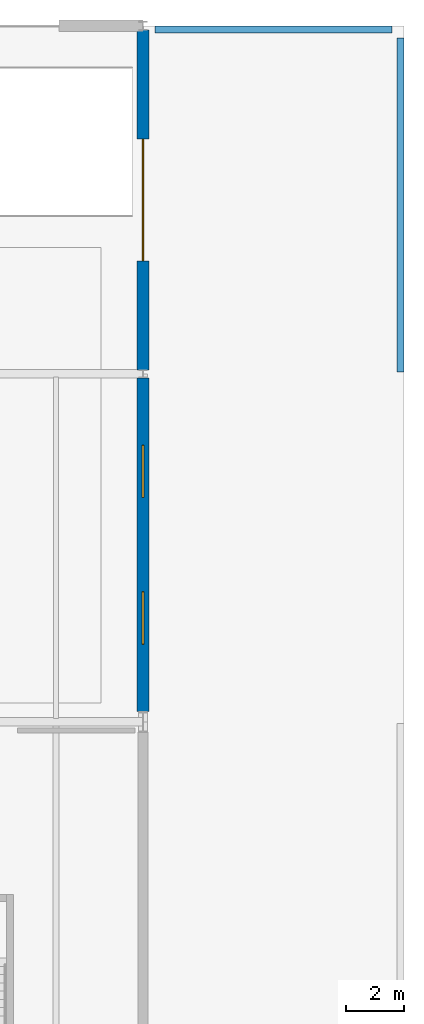
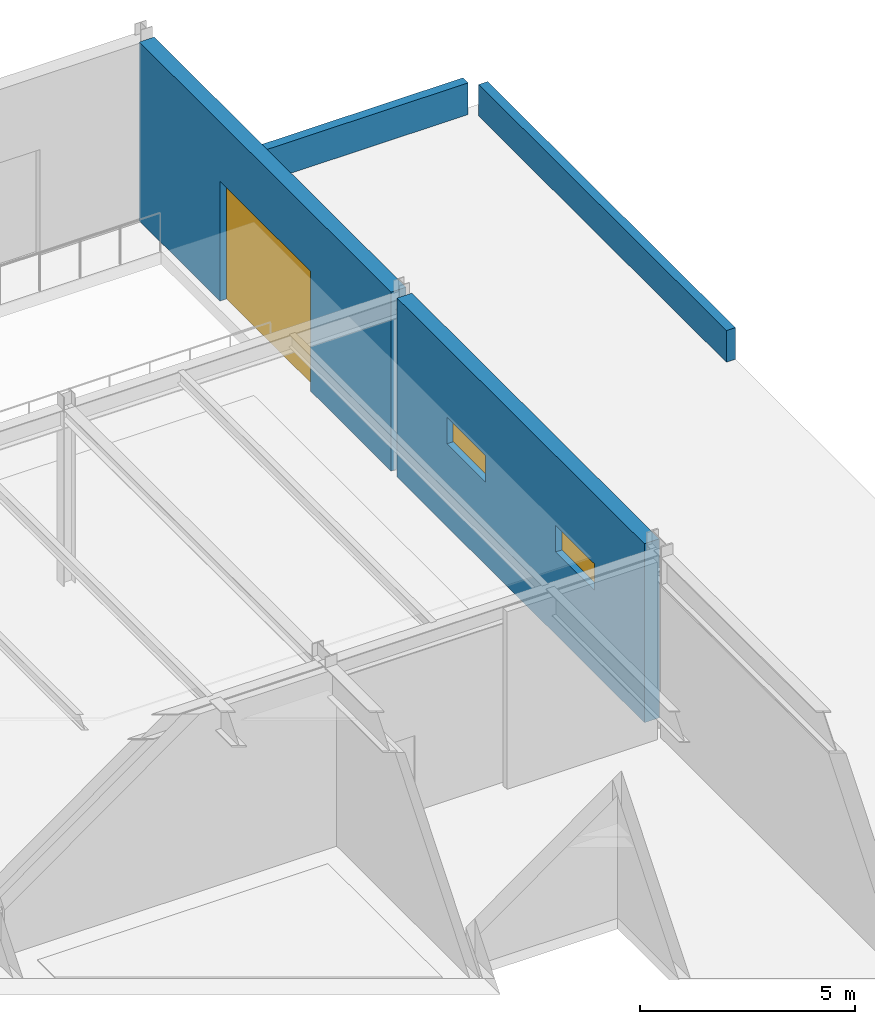
# One storey, part 130 of 143: 4 walls, 2 windows, 1 door, 3 openings.
"""IFC4 building model written with IfcOpenShell, lengths in metres."""

import ifcopenshell
import ifcopenshell.guid

model = None  # the IFC model being written
_history = None  # IfcOwnerHistory: only IFC2X3 demands one
_inside = {}  # id of a spatial element -> (the spatial element, [elements in it])
_under = {}  # id of a project, library or spatial element -> (it, [spatial elements below it])
_declared = {}  # id of a project -> (the project, [libraries it declares])
_typed = {}  # id of a type object -> (the type object, [elements of that type])
_made_of = {}  # id of a material, layer set ... -> (it, [elements and type objects made of it])


def new_model(schema):
    """Start an empty IFC model of exactly this schema.

    Asked for "IFC4X3", IfcOpenShell would pick the latest addendum, in which some entities
    have other attributes; the version numbers below select the first issue.
    IFC2X3 requires an IfcOwnerHistory on every rooted entity: one is made here for all.
    """
    global model, _history
    if schema == "IFC4X3":
        model = ifcopenshell.file(schema_version=(4, 3, 0, 0))
    else:
        model = ifcopenshell.file(schema=schema)
    _inside.clear()
    _under.clear()
    _declared.clear()
    _typed.clear()
    _made_of.clear()
    _history = None
    if model.schema == "IFC2X3":
        org = make("IfcOrganization", Name="unknown")
        user = make(
            "IfcPersonAndOrganization",
            ThePerson=make("IfcPerson", FamilyName="unknown"),
            TheOrganization=org,
        )
        app = make(
            "IfcApplication",
            ApplicationDeveloper=org,
            Version="unknown",
            ApplicationFullName="unknown",
            ApplicationIdentifier="unknown",
        )
        _history = make(
            "IfcOwnerHistory",
            OwningUser=user,
            OwningApplication=app,
            ChangeAction="ADDED",
            CreationDate=0,
        )
    return model


def make(cls, **values):
    """One entity of the class cls with the attributes given. An attribute that is None is left unset."""
    return model.create_entity(
        cls, **{name: value for name, value in values.items() if value is not None}
    )


def rooted(cls, **values):
    """An entity with a GlobalId (a new one), such as an element, a storey or a relation."""
    return make(cls, GlobalId=ifcopenshell.guid.new(), OwnerHistory=_history, **values)


def si_unit(unit_type, name, prefix=None):
    """IfcSIUnit, for example si_unit("LENGTHUNIT", "METRE", prefix="MILLI")."""
    return make("IfcSIUnit", UnitType=unit_type, Prefix=prefix, Name=name)


def assignment(units):
    """IfcUnitAssignment: the units of a project."""
    return None if units is None else make("IfcUnitAssignment", Units=units)


def point(xyz):
    """IfcCartesianPoint."""
    return None if xyz is None else make("IfcCartesianPoint", Coordinates=xyz)


def direction(xyz):
    """IfcDirection."""
    return None if xyz is None else make("IfcDirection", DirectionRatios=xyz)


def frame(location, z_axis=None, x_axis=None):
    """IfcAxis2Placement3D, a coordinate frame: its origin and axes. An axis left out is left unset."""
    return make(
        "IfcAxis2Placement3D",
        Location=point(location),
        Axis=direction(z_axis),
        RefDirection=direction(x_axis),
    )


def frame_2d(location, x_axis=None):
    """IfcAxis2Placement2D, a coordinate frame in the plane: its origin and x axis."""
    return make(
        "IfcAxis2Placement2D", Location=point(location), RefDirection=direction(x_axis)
    )


def origin():
    """The frame at (0, 0, 0) with its axes left unset."""
    return frame((0.0, 0.0, 0.0))


def place(relative_to, where):
    """IfcLocalPlacement: puts the frame where relative to a parent placement (None: the world)."""
    return make(
        "IfcLocalPlacement", PlacementRelTo=relative_to, RelativePlacement=where
    )


def context(
    kind, dimensions, precision=None, world=None, true_north=None, identifier=None
):
    """IfcGeometricRepresentationContext, for example the 3D "Model" context."""
    return make(
        "IfcGeometricRepresentationContext",
        ContextIdentifier=identifier,
        ContextType=kind,
        CoordinateSpaceDimension=dimensions,
        Precision=precision,
        WorldCoordinateSystem=world,
        TrueNorth=true_north,
    )


def subcontext(parent, identifier, kind, view, scale=None):
    """IfcGeometricRepresentationSubContext, for example "Body" below "Model"."""
    return make(
        "IfcGeometricRepresentationSubContext",
        ContextIdentifier=identifier,
        ContextType=kind,
        ParentContext=parent,
        TargetScale=scale,
        TargetView=view,
    )


def project(units=None, contexts=None):
    """IfcProject with its units and contexts."""
    return rooted(
        "IfcProject",
        Name="project",
        RepresentationContexts=contexts,
        UnitsInContext=assignment(units),
    )


def spatial(cls, under=None, at=None, **own):
    """A site, building, storey or space (cls), placed at a placement, below another one or the project."""
    s = rooted(cls, ObjectPlacement=at, **own)
    if under is not None:
        _under.setdefault(under.id(), (under, []))[1].append(s)
    return s


def profile(cls, at=None, kind="AREA", **sizes):
    """A parametric profile (cls). Its sizes go by their IFC names, for example OverallWidth=200.0."""
    return make(cls, ProfileType=kind, Position=at, **sizes)


def rectangle(**sizes):
    """IfcRectangleProfileDef."""
    return profile("IfcRectangleProfileDef", **sizes)


def extrude(swept, where, along, depth):
    """IfcExtrudedAreaSolid: the profile swept, set in the frame where, extruded along a direction by depth."""
    return make(
        "IfcExtrudedAreaSolid",
        SweptArea=swept,
        Position=where,
        ExtrudedDirection=direction(along),
        Depth=depth,
    )


def shape(context_of_items, identifier, shape_type, items):
    """IfcShapeRepresentation: the items that make up one representation, for example the "Body"."""
    return make(
        "IfcShapeRepresentation",
        ContextOfItems=context_of_items,
        RepresentationIdentifier=identifier,
        RepresentationType=shape_type,
        Items=items,
    )


def material(Name=None, Category=None):
    """IfcMaterial."""
    return make("IfcMaterial", Name=Name, Category=Category)


def layer(
    of_material, thickness, ventilated=None, Name=None, Category=None, Priority=None
):
    """IfcMaterialLayer: one layer of a wall or slab, of a material (None: an air gap)."""
    return make(
        "IfcMaterialLayer",
        Material=of_material,
        LayerThickness=thickness,
        IsVentilated=ventilated,
        Name=Name,
        Category=Category,
        Priority=Priority,
    )


def layer_set(layers, Name=None):
    """IfcMaterialLayerSet."""
    return make("IfcMaterialLayerSet", MaterialLayers=layers, LayerSetName=Name)


def made_of(thing, what):
    """Note that an element or type object is made of a material, layer set ...; save() writes the relation."""
    if what is not None:
        _made_of.setdefault(what.id(), (what, []))[1].append(thing)
    return thing


def type_object(cls, material=None, **own):
    """A type object (cls), such as IfcWallType, which elements share."""
    return made_of(rooted(cls, **own), material)


def element(
    cls,
    number,
    at=None,
    inside=None,
    cuts=None,
    type_object=None,
    material=None,
    context=None,
    identifier="Body",
    shape_type=None,
    held_by="IfcProductDefinitionShape",
    body=None,
    shapes=None,
    **own,
):
    """One element of the class cls, such as IfcWall. Its Tag is "e" and its number.

    at: its placement. inside: the storey or other place that contains it. cuts: it is an
    opening in that element (IfcRelVoidsElement). A single representation is given by context,
    identifier, shape_type and body (its items); several are given by shapes. held_by: the class
    of the entity that holds the representations. save() writes the other relations.
    """
    e = rooted(cls, Tag="e%d" % number, ObjectPlacement=at, **own)
    if body is not None:
        shapes = [shape(context, identifier, shape_type, body)]
    if shapes is not None:
        e.Representation = make(held_by, Representations=shapes)
    if inside is not None:
        _inside.setdefault(inside.id(), (inside, []))[1].append(e)
    if cuts is not None:
        rooted(
            "IfcRelVoidsElement", RelatingBuildingElement=cuts, RelatedOpeningElement=e
        )
    if type_object is not None:
        _typed.setdefault(type_object.id(), (type_object, []))[1].append(e)
    return made_of(e, material)


def fill(opening, filler):
    """IfcRelFillsElement: the door or window that sits in an opening."""
    return rooted(
        "IfcRelFillsElement",
        RelatingOpeningElement=opening,
        RelatedBuildingElement=filler,
    )


def aggregate(whole, parts):
    """IfcRelAggregates: a whole, such as a stair, and the parts it consists of."""
    return rooted("IfcRelAggregates", RelatingObject=whole, RelatedObjects=parts)


def save(model, path):
    """Write the relations noted so far, then the file.

    IfcRelAggregates (storeys below a building ...), IfcRelContainedInSpatialStructure (elements
    in a storey), IfcRelDefinesByType, IfcRelAssociatesMaterial and IfcRelDeclares: one each for
    every whole, place, type object, material and project.
    """
    for whole, parts in _under.values():
        aggregate(whole, parts)
    for where, things in _inside.values():
        rooted(
            "IfcRelContainedInSpatialStructure",
            RelatedElements=things,
            RelatingStructure=where,
        )
    for kind, things in _typed.values():
        rooted("IfcRelDefinesByType", RelatedObjects=things, RelatingType=kind)
    for what, things in _made_of.values():
        rooted("IfcRelAssociatesMaterial", RelatedObjects=things, RelatingMaterial=what)
    for by, libraries in _declared.values():
        rooted("IfcRelDeclares", RelatingContext=by, RelatedDefinitions=libraries)
    model.write(path)


model = new_model("IFC4")

# Units and contexts
model_context = context("Model", 3, precision=1e-05, world=origin(), true_north=direction((0.0, 1.0)))
body_context = subcontext(model_context, "Body", "Model", "MODEL_VIEW")
ifc_project = project(units=[si_unit("LENGTHUNIT", "METRE"), si_unit("AREAUNIT", "SQUARE_METRE"), si_unit("VOLUMEUNIT", "CUBIC_METRE"), si_unit("PLANEANGLEUNIT", "RADIAN"), si_unit("MASSUNIT", "GRAM", prefix="KILO")], contexts=[model_context])

# Site, building, storey
site_placement = place(None, origin())
site = spatial("IfcSite", under=ifc_project, at=site_placement, CompositionType="ELEMENT")
building_placement = place(site_placement, origin())
building = spatial("IfcBuilding", under=site, at=building_placement, Name="Montelvaro Courts of Justice", CompositionType="ELEMENT")
storey_placement = place(building_placement, origin())
storey = spatial("IfcBuildingStorey", under=building, at=storey_placement, Name="L00", CompositionType="ELEMENT", Elevation=0.0)

# Wall, openings, windows
ifc_material_1 = material(Name="Concrete C40/50", Category="concrete")
ifc_layer_1 = layer(ifc_material_1, 0.39990234375)
ifc_layer_set_1 = layer_set([ifc_layer_1], Name="Concrete C40/50")
wall_type_1 = type_object("IfcWallType", Name="ExtWall_Custody_400", PredefinedType="SOLIDWALL", material=ifc_layer_set_1)
wall_1_placement = place(storey_placement, frame((162.0, 96.35595703125, 0.0), z_axis=(0.0, 0.0, 1.0), x_axis=(0.0, 1.0, 0.0)))
wall_1 = element("IfcWall", 1, at=wall_1_placement, inside=storey, type_object=wall_type_1, Name="Exterior Facade Wall EW-04 (L00)", PredefinedType="SOLIDWALL", context=body_context, shape_type="SweptSolid", body=[
    extrude(rectangle(XDim=11.506103515625, YDim=0.39990234375, at=frame_2d((5.7529296875, 0.0))), origin(), (0.0, 0.0, 1.0), 5.080078125),
])
opening_1_placement = place(wall_1_placement, frame((2.322021484375, 0.0, 2.35009765625)))
opening_1 = element("IfcOpeningElement", 2, at=opening_1_placement, cuts=wall_1, Name="Opening WE-28", PredefinedType="OPENING", context=body_context, shape_type="SweptSolid", body=[
    extrude(rectangle(XDim=1.800048828125, YDim=0.75, at=frame_2d((0.89990234375, 0.375))), frame((0.0, 0.21484375, 0.0), z_axis=(0.0, -1.0, 0.0), x_axis=(1.0, 0.0, 0.0)), (0.0, 0.0, 1.0), 0.4296875),
])
opening_2_placement = place(wall_1_placement, frame((7.384033203125, 0.0, 2.35009765625)))
opening_2 = element("IfcOpeningElement", 3, at=opening_2_placement, cuts=wall_1, Name="Opening WE-28", PredefinedType="OPENING", context=body_context, shape_type="SweptSolid", body=[
    extrude(rectangle(XDim=1.800048828125, YDim=0.75, at=frame_2d((0.89990234375, 0.375))), frame((0.0, 0.21484375, 0.0), z_axis=(0.0, -1.0, 0.0), x_axis=(1.0, 0.0, 0.0)), (0.0, 0.0, 1.0), 0.4296875),
])
ifc_material_2 = material(Name="Low-E solar control double glazing", Category="glass")
window_type = type_object("IfcWindowType", Name="Win_Slot_180x075", PartitioningType="SINGLE_PANEL", PredefinedType="WINDOW", material=ifc_material_2)
window_1_placement = place(opening_1_placement, origin())
window_1 = element("IfcWindow", 4, at=window_1_placement, inside=storey, type_object=window_type, Name="Window W-L00-028", OverallHeight=0.75, OverallWidth=1.800048828125, PartitioningType="SINGLE_PANEL", PredefinedType="WINDOW", context=body_context, shape_type="SweptSolid", body=[
    extrude(rectangle(XDim=1.800048828125, YDim=0.75, at=frame_2d((0.89990234375, 0.375))), frame((0.0, 0.030029296875, 0.0), z_axis=(0.0, -1.0, 0.0), x_axis=(1.0, 0.0, 0.0)), (0.0, 0.0, 1.0), 0.06005859375),
])
fill(opening_1, window_1)
window_2_placement = place(opening_2_placement, origin())
window_2 = element("IfcWindow", 5, at=window_2_placement, inside=storey, type_object=window_type, Name="Window W-L00-029", OverallHeight=0.75, OverallWidth=1.800048828125, PartitioningType="SINGLE_PANEL", PredefinedType="WINDOW", context=body_context, shape_type="SweptSolid", body=[
    extrude(rectangle(XDim=1.800048828125, YDim=0.75, at=frame_2d((0.89990234375, 0.375))), frame((0.0, 0.030029296875, 0.0), z_axis=(0.0, -1.0, 0.0), x_axis=(1.0, 0.0, 0.0)), (0.0, 0.0, 1.0), 0.06005859375),
])
fill(opening_2, window_2)

# Wall, opening, door
wall_2_placement = place(storey_placement, frame((162.0, 108.137939453125, 0.0), z_axis=(0.0, 0.0, 1.0), x_axis=(0.0, 1.0, 0.0)))
wall_2 = element("IfcWall", 6, at=wall_2_placement, inside=storey, type_object=wall_type_1, Name="Exterior Facade Wall EW-04 (L00)", PredefinedType="SOLIDWALL", context=body_context, shape_type="SweptSolid", body=[
    extrude(rectangle(XDim=11.714111328125, YDim=0.39990234375, at=frame_2d((5.85693359375, 0.0))), origin(), (0.0, 0.0, 1.0), 5.080078125),
])
opening_3_placement = place(wall_2_placement, frame((3.757080078125, 0.0, 0.0)))
opening_3 = element("IfcOpeningElement", 7, at=opening_3_placement, cuts=wall_2, Name="Opening VG-01", PredefinedType="OPENING", context=body_context, shape_type="SweptSolid", body=[
    extrude(rectangle(XDim=4.199951171875, YDim=3.39990234375, at=frame_2d((2.10009765625, 1.699951171875))), frame((0.0, 0.21484375, 0.0), z_axis=(0.0, -1.0, 0.0), x_axis=(1.0, 0.0, 0.0)), (0.0, 0.0, 1.0), 0.4296875),
])
ifc_material_3 = material(Name="Galvanised steel S355 fire door", Category="steel")
door_type = type_object("IfcDoorType", Name="VehicleGate_420x340", OperationType="ROLLINGUP", PredefinedType="GATE", material=ifc_material_3)
door_placement = place(opening_3_placement, frame((4.199951171875, 0.0, 0.0), z_axis=(0.0, 0.0, 1.0), x_axis=(-1.0, 0.0, 0.0)))
door = element("IfcDoor", 8, at=door_placement, inside=storey, type_object=door_type, Name="Custody Sallyport Overhead Shutter Gate VG-01", OperationType="ROLLINGUP", OverallHeight=3.39990234375, OverallWidth=4.199951171875, PredefinedType="GATE", context=body_context, shape_type="SweptSolid", body=[
    extrude(rectangle(XDim=4.199951171875, YDim=3.39990234375, at=frame_2d((2.10009765625, 1.699951171875))), frame((0.0, 0.02490234375, 0.0), z_axis=(0.0, -1.0, 0.0), x_axis=(1.0, 0.0, 0.0)), (0.0, 0.0, 1.0), 0.050048828125),
])
fill(opening_3, door)

# Walls
ifc_material_4 = material(Name="White mineral precast concrete C45/55", Category="concrete")
ifc_layer_2 = layer(ifc_material_4, 0.239990234375)
ifc_layer_set_2 = layer_set([ifc_layer_2], Name="White mineral precast concrete C45/55")
wall_type_2 = type_object("IfcWallType", Name="ParapetWall_240", PredefinedType="PARAPET", material=ifc_layer_set_2)
wall_3_placement = place(storey_placement, frame((170.8798828125, 108.06005859375, 0.0), z_axis=(0.0, 0.0, 1.0), x_axis=(0.0, 1.0, 0.0)))
element("IfcWall", 9, at=wall_3_placement, inside=storey, type_object=wall_type_2, Name="Roof Parapet PW-01 L00-062", PredefinedType="PARAPET", context=body_context, shape_type="SweptSolid", body=[
    extrude(rectangle(XDim=11.52001953125, YDim=0.239990234375, at=frame_2d((5.760009765625, 0.0))), origin(), (0.0, 0.0, 1.0), 0.89990234375),
])
wall_4_placement = place(storey_placement, frame((162.419921875, 119.8798828125, 0.0), z_axis=(0.0, 0.0, 1.0), x_axis=(1.0, 0.0, 0.0)))
element("IfcWall", 10, at=wall_4_placement, inside=storey, type_object=wall_type_2, Name="Roof Parapet PW-01 L00-063", PredefinedType="PARAPET", context=body_context, shape_type="SweptSolid", body=[
    extrude(rectangle(XDim=8.16015625, YDim=0.239990234375, at=frame_2d((4.080078125, 0.0))), origin(), (0.0, 0.0, 1.0), 0.89990234375),
])

save(model, "model.ifc")
